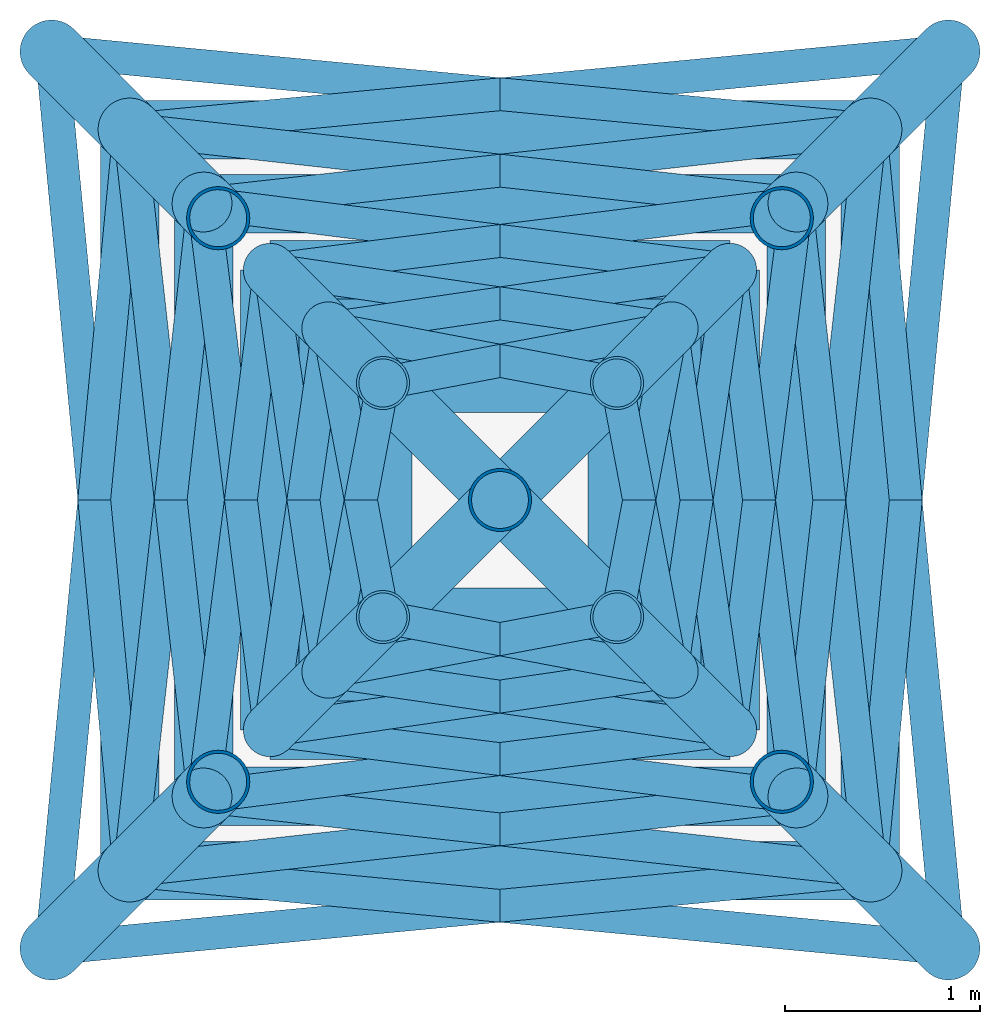
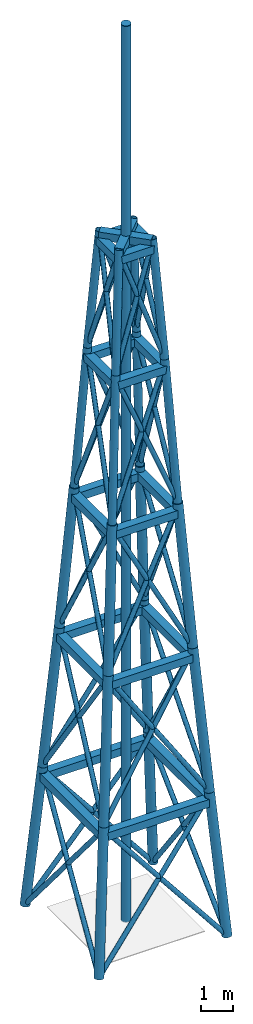
# One storey, part 1 of 2: 40 members, 24 beams, 21 columns, 1 discrete accessory.
"""IFC4 building model written with IfcOpenShell, lengths in metres."""

from ifc_helpers import new_model, si_unit, direction, frame, origin, origin_2d, place, context, subcontext, project, spatial, hollow_rectangle, circle, hollow_circle, extrude, material, material_profile, profile_set, type_object, element, save


model = new_model("IFC4")

# Units and contexts
model_context = context("Model", 3, precision=1e-05, world=origin(), true_north=direction((0.0, 1.0)))
body_context = subcontext(model_context, "Body", "Model", "MODEL_VIEW")
ifc_project = project(units=[si_unit("LENGTHUNIT", "METRE"), si_unit("AREAUNIT", "SQUARE_METRE"), si_unit("VOLUMEUNIT", "CUBIC_METRE"), si_unit("PLANEANGLEUNIT", "RADIAN"), si_unit("MASSUNIT", "GRAM", prefix="KILO")], contexts=[model_context])

# Site, building, storey
site_placement = place(None, origin())
site = spatial("IfcSite", under=ifc_project, at=site_placement, CompositionType="ELEMENT")
building_placement = place(site_placement, origin())
building = spatial("IfcBuilding", under=site, at=building_placement, Name="Nuhasar Tower", CompositionType="ELEMENT")
storey_placement = place(building_placement, frame((0.0, 0.0, 325.89990234375)))
storey = spatial("IfcBuildingStorey", under=building, at=storey_placement, Name="Roof Mast", CompositionType="ELEMENT", Elevation=325.89990234375)

# Columns
ifc_material = material(Name="Steel S460", Category="steel")
ifc_material_profile_1 = material_profile(ifc_material, hollow_circle(Radius=0.136474609375, WallThickness=0.0126953125, at=origin_2d()), Name="HSS273.1X12.7")
ifc_profile_set_1 = profile_set([ifc_material_profile_1], Name="Steel S460")
column_type_1 = type_object("IfcColumnType", Name="COL-MAST-273", PredefinedType="COLUMN", material=ifc_profile_set_1)
for number, where, z_axis, x_axis, name in (
    (1, (37.820068359375, 25.6201171875, 16.2001953125), (0.05544479848, 0.05539968473, 0.996923642639), (-0.706818929897, 0.707394515345, 0.0), "Broadcast Mast MAST-01 Leg T4-1"),
    (2, (40.179931640625, 25.6201171875, 16.2001953125), (-0.05544479848, 0.05539968473, 0.996923642639), (-0.706818929897, -0.707394515345, 0.0), "Broadcast Mast MAST-01 Leg T4-2"),
    (3, (40.179931640625, 27.97998046875, 16.2001953125), (-0.055444659851, -0.055444659851, 0.996921150035), (0.707106781187, -0.707106781187, 0.0), "Broadcast Mast MAST-01 Leg T4-3"),
    (4, (37.820068359375, 27.97998046875, 16.2001953125), (0.055444659851, -0.055444659851, 0.996921150035), (0.707106781187, 0.707106781187, 0.0), "Broadcast Mast MAST-01 Leg T4-4"),
):
    element("IfcColumn", number, at=place(storey_placement, frame(where, z_axis=z_axis, x_axis=x_axis)), inside=storey, type_object=column_type_1, Name=name, PredefinedType="COLUMN", context=body_context, shape_type="SweptSolid", body=[
        extrude(hollow_circle(Radius=0.136474609375, WallThickness=0.0126953125, at=origin_2d()), origin(), (0.0, 0.0, 1.0), 5.41162109375),
    ])
for number, where, z_axis, x_axis, name in (
    (5, (38.1201171875, 25.919921875, 21.60009765625), (0.062002070405, 0.062056173433, 0.996144956622), (-0.707415090182, 0.706798337705, 0.0), "Broadcast Mast MAST-01 Leg T5-1"),
    (6, (39.8798828125, 25.919921875, 21.60009765625), (-0.062002070405, 0.062056173433, 0.996144956622), (-0.707415090182, -0.706798337705, 0.0), "Broadcast Mast MAST-01 Leg T5-2"),
    (7, (39.8798828125, 27.679931640625, 21.60009765625), (-0.062002070405, -0.062056173433, 0.996144956622), (0.707415090182, -0.706798337705, 0.0), "Broadcast Mast MAST-01 Leg T5-3"),
    (8, (38.1201171875, 27.679931640625, 21.60009765625), (0.062002070405, -0.062056173433, 0.996144956622), (0.707415090182, 0.706798337705, 0.0), "Broadcast Mast MAST-01 Leg T5-4"),
):
    element("IfcColumn", number, at=place(storey_placement, frame(where, z_axis=z_axis, x_axis=x_axis)), inside=storey, type_object=column_type_1, Name=name, PredefinedType="COLUMN", context=body_context, shape_type="SweptSolid", body=[
        extrude(hollow_circle(Radius=0.136474609375, WallThickness=0.0126953125, at=origin_2d()), origin(), (0.0, 0.0, 1.0), 4.512451171875),
    ])
ifc_material_profile_2 = material_profile(ifc_material, hollow_circle(Radius=0.161865234375, WallThickness=0.015869140625, at=origin_2d()), Name="HSS323.9X15.9")
ifc_profile_set_2 = profile_set([ifc_material_profile_2], Name="Steel S460")
column_type_2 = type_object("IfcColumnType", Name="COL-MAST-324", PredefinedType="COLUMN", material=ifc_profile_set_2)
for number, where, z_axis, x_axis, name in (
    (9, (36.699951171875, 24.5, 0.0), (0.073765172468, 0.073720166261, 0.99454715143), (-0.706890969579, 0.707322526948, 0.0), "Broadcast Mast MAST-01 Leg T1-1"),
    (10, (41.300048828125, 24.5, 0.0), (-0.073765172468, 0.073720166261, 0.99454715143), (-0.706890969579, -0.707322526948, 0.0), "Broadcast Mast MAST-01 Leg T1-2"),
    (11, (41.300048828125, 29.10009765625, 0.0), (-0.073764927651, -0.073764927651, 0.994543850666), (0.707106781187, -0.707106781187, 0.0), "Broadcast Mast MAST-01 Leg T1-3"),
    (12, (36.699951171875, 29.10009765625, 0.0), (0.073764927651, -0.073764927651, 0.994543850666), (0.707106781187, 0.707106781187, 0.0), "Broadcast Mast MAST-01 Leg T1-4"),
):
    element("IfcColumn", number, at=place(storey_placement, frame(where, z_axis=z_axis, x_axis=x_axis)), inside=storey, type_object=column_type_2, Name=name, PredefinedType="COLUMN", context=body_context, shape_type="SweptSolid", body=[
        extrude(hollow_circle(Radius=0.161865234375, WallThickness=0.015869140625, at=origin_2d()), origin(), (0.0, 0.0, 1.0), 5.424560546875),
    ])
for number, where, z_axis, x_axis, name in (
    (13, (37.10009765625, 24.89990234375, 5.400146484375), (0.070066850002, 0.070111880111, 0.995075354332), (-0.707333891104, 0.706879598303, 0.0), "Broadcast Mast MAST-01 Leg T2-1"),
    (14, (40.89990234375, 24.89990234375, 5.400146484375), (-0.070066850002, 0.070111880111, 0.995075354332), (-0.707333891104, -0.706879598303, 0.0), "Broadcast Mast MAST-01 Leg T2-2"),
    (15, (40.89990234375, 28.699951171875, 5.400146484375), (-0.070067071143, -0.070067071143, 0.995078494935), (0.707106781187, -0.707106781187, 0.0), "Broadcast Mast MAST-01 Leg T2-3"),
    (16, (37.10009765625, 28.699951171875, 5.400146484375), (0.070067071143, -0.070067071143, 0.995078494935), (0.707106781187, 0.707106781187, 0.0), "Broadcast Mast MAST-01 Leg T2-4"),
):
    element("IfcColumn", number, at=place(storey_placement, frame(where, z_axis=z_axis, x_axis=x_axis)), inside=storey, type_object=column_type_2, Name=name, PredefinedType="COLUMN", context=body_context, shape_type="SweptSolid", body=[
        extrude(hollow_circle(Radius=0.161865234375, WallThickness=0.015869140625, at=origin_2d()), origin(), (0.0, 0.0, 1.0), 5.421630859375),
    ])
for number, where, z_axis, x_axis, name in (
    (17, (37.47998046875, 25.280029296875, 10.800048828125), (0.062788369869, 0.062788369869, 0.996049818643), (-0.707106781187, 0.707106781187, 0.0), "Broadcast Mast MAST-01 Leg T3-1"),
    (18, (40.52001953125, 25.280029296875, 10.800048828125), (-0.062788369869, 0.062788369869, 0.996049818643), (-0.707106781187, -0.707106781187, 0.0), "Broadcast Mast MAST-01 Leg T3-2"),
    (19, (40.52001953125, 28.320068359375, 10.800048828125), (-0.062788369869, -0.062788369869, 0.996049818643), (0.707106781187, -0.707106781187, 0.0), "Broadcast Mast MAST-01 Leg T3-3"),
    (20, (37.47998046875, 28.320068359375, 10.800048828125), (0.062788369869, -0.062788369869, 0.996049818643), (0.707106781187, 0.707106781187, 0.0), "Broadcast Mast MAST-01 Leg T3-4"),
):
    element("IfcColumn", number, at=place(storey_placement, frame(where, z_axis=z_axis, x_axis=x_axis)), inside=storey, type_object=column_type_2, Name=name, PredefinedType="COLUMN", context=body_context, shape_type="SweptSolid", body=[
        extrude(hollow_circle(Radius=0.161865234375, WallThickness=0.015869140625, at=origin_2d()), origin(), (0.0, 0.0, 1.0), 5.41650390625),
    ])
column_placement = place(storey_placement, frame((39.0, 26.800048828125, 0.0), z_axis=(0.0, 0.0, 1.0), x_axis=(1.0, 0.0, 0.0)))
element("IfcColumn", 21, at=column_placement, inside=storey, type_object=column_type_2, Name="Broadcast Mast MAST-01 Spire Finial", PredefinedType="COLUMN", context=body_context, shape_type="SweptSolid", body=[
    extrude(hollow_circle(Radius=0.161865234375, WallThickness=0.015869140625, at=origin_2d()), origin(), (0.0, 0.0, 1.0), 34.080078125),
])

# Beams
ifc_material_profile_3 = material_profile(ifc_material, hollow_rectangle(XDim=0.300048828125, YDim=0.300048828125, WallThickness=0.012451171875, at=origin_2d()), Name="HSS300X300X12.5")
ifc_profile_set_3 = profile_set([ifc_material_profile_3], Name="Steel S460")
beam_type = type_object("IfcBeamType", Name="BM-MAST-HSS300", PredefinedType="BEAM", material=ifc_profile_set_3)
beam_1_placement = place(storey_placement, frame((37.10009765625, 24.89990234375, 5.030029296875), z_axis=(1.0, 0.0, 0.0), x_axis=(0.0, 1.0, 0.0)))
element("IfcBeam", 22, at=beam_1_placement, inside=storey, type_object=beam_type, Name="Broadcast Mast MAST-01 Collar T1-1", PredefinedType="BEAM", context=body_context, shape_type="SweptSolid", body=[
    extrude(hollow_rectangle(XDim=0.300048828125, YDim=0.300048828125, WallThickness=0.012451171875, at=origin_2d()), origin(), (0.0, 0.0, 1.0), 3.7998046875),
])
beam_2_placement = place(storey_placement, frame((40.89990234375, 24.89990234375, 5.030029296875), z_axis=(0.0, 1.0, 0.0), x_axis=(-1.0, 0.0, 0.0)))
element("IfcBeam", 23, at=beam_2_placement, inside=storey, type_object=beam_type, Name="Broadcast Mast MAST-01 Collar T1-2", PredefinedType="BEAM", context=body_context, shape_type="SweptSolid", body=[
    extrude(hollow_rectangle(XDim=0.300048828125, YDim=0.300048828125, WallThickness=0.012451171875, at=origin_2d()), origin(), (0.0, 0.0, 1.0), 3.800048828125),
])
beam_3_placement = place(storey_placement, frame((40.89990234375, 28.699951171875, 5.030029296875), z_axis=(-1.0, 0.0, 0.0), x_axis=(0.0, -1.0, 0.0)))
element("IfcBeam", 24, at=beam_3_placement, inside=storey, type_object=beam_type, Name="Broadcast Mast MAST-01 Collar T1-3", PredefinedType="BEAM", context=body_context, shape_type="SweptSolid", body=[
    extrude(hollow_rectangle(XDim=0.300048828125, YDim=0.300048828125, WallThickness=0.012451171875, at=origin_2d()), origin(), (0.0, 0.0, 1.0), 3.7998046875),
])
beam_4_placement = place(storey_placement, frame((37.10009765625, 28.699951171875, 5.030029296875), z_axis=(0.0, -1.0, 0.0), x_axis=(1.0, 0.0, 0.0)))
element("IfcBeam", 25, at=beam_4_placement, inside=storey, type_object=beam_type, Name="Broadcast Mast MAST-01 Collar T1-4", PredefinedType="BEAM", context=body_context, shape_type="SweptSolid", body=[
    extrude(hollow_rectangle(XDim=0.300048828125, YDim=0.300048828125, WallThickness=0.012451171875, at=origin_2d()), origin(), (0.0, 0.0, 1.0), 3.800048828125),
])
for number, where, z_axis, x_axis, name in (
    (26, (37.47998046875, 25.280029296875, 10.43017578125), (1.0, 0.0, 0.0), (0.0, 1.0, 0.0), "Broadcast Mast MAST-01 Collar T2-1"),
    (27, (40.52001953125, 25.280029296875, 10.43017578125), (0.0, 1.0, 0.0), (-1.0, 0.0, 0.0), "Broadcast Mast MAST-01 Collar T2-2"),
    (28, (40.52001953125, 28.320068359375, 10.43017578125), (-1.0, 0.0, 0.0), (0.0, -1.0, 0.0), "Broadcast Mast MAST-01 Collar T2-3"),
    (29, (37.47998046875, 28.320068359375, 10.43017578125), (0.0, -1.0, 0.0), (1.0, 0.0, 0.0), "Broadcast Mast MAST-01 Collar T2-4"),
):
    element("IfcBeam", number, at=place(storey_placement, frame(where, z_axis=z_axis, x_axis=x_axis)), inside=storey, type_object=beam_type, Name=name, PredefinedType="BEAM", context=body_context, shape_type="SweptSolid", body=[
        extrude(hollow_rectangle(XDim=0.300048828125, YDim=0.300048828125, WallThickness=0.012451171875, at=origin_2d()), origin(), (0.0, 0.0, 1.0), 3.0400390625),
    ])
for number, where, z_axis, x_axis, name in (
    (30, (37.820068359375, 25.6201171875, 15.830078125), (1.0, 0.0, 0.0), (0.0, 1.0, 0.0), "Broadcast Mast MAST-01 Collar T3-1"),
    (31, (40.179931640625, 25.6201171875, 15.830078125), (0.0, 1.0, 0.0), (-1.0, 0.0, 0.0), "Broadcast Mast MAST-01 Collar T3-2"),
    (32, (40.179931640625, 27.97998046875, 15.830078125), (-1.0, 0.0, 0.0), (0.0, -1.0, 0.0), "Broadcast Mast MAST-01 Collar T3-3"),
    (33, (37.820068359375, 27.97998046875, 15.830078125), (0.0, -1.0, 0.0), (1.0, 0.0, 0.0), "Broadcast Mast MAST-01 Collar T3-4"),
):
    element("IfcBeam", number, at=place(storey_placement, frame(where, z_axis=z_axis, x_axis=x_axis)), inside=storey, type_object=beam_type, Name=name, PredefinedType="BEAM", context=body_context, shape_type="SweptSolid", body=[
        extrude(hollow_rectangle(XDim=0.300048828125, YDim=0.300048828125, WallThickness=0.012451171875, at=origin_2d()), origin(), (0.0, 0.0, 1.0), 2.35986328125),
    ])
beam_5_placement = place(storey_placement, frame((38.1201171875, 25.919921875, 21.22998046875), z_axis=(1.0, 0.0, 0.0), x_axis=(0.0, 1.0, 0.0)))
element("IfcBeam", 34, at=beam_5_placement, inside=storey, type_object=beam_type, Name="Broadcast Mast MAST-01 Collar T4-1", PredefinedType="BEAM", context=body_context, shape_type="SweptSolid", body=[
    extrude(hollow_rectangle(XDim=0.300048828125, YDim=0.300048828125, WallThickness=0.012451171875, at=origin_2d()), origin(), (0.0, 0.0, 1.0), 1.759765625),
])
beam_6_placement = place(storey_placement, frame((39.8798828125, 25.919921875, 21.22998046875), z_axis=(0.0, 1.0, 0.0), x_axis=(-1.0, 0.0, 0.0)))
element("IfcBeam", 35, at=beam_6_placement, inside=storey, type_object=beam_type, Name="Broadcast Mast MAST-01 Collar T4-2", PredefinedType="BEAM", context=body_context, shape_type="SweptSolid", body=[
    extrude(hollow_rectangle(XDim=0.300048828125, YDim=0.300048828125, WallThickness=0.012451171875, at=origin_2d()), origin(), (0.0, 0.0, 1.0), 1.760009765625),
])
beam_7_placement = place(storey_placement, frame((39.8798828125, 27.679931640625, 21.22998046875), z_axis=(-1.0, 0.0, 0.0), x_axis=(0.0, -1.0, 0.0)))
element("IfcBeam", 36, at=beam_7_placement, inside=storey, type_object=beam_type, Name="Broadcast Mast MAST-01 Collar T4-3", PredefinedType="BEAM", context=body_context, shape_type="SweptSolid", body=[
    extrude(hollow_rectangle(XDim=0.300048828125, YDim=0.300048828125, WallThickness=0.012451171875, at=origin_2d()), origin(), (0.0, 0.0, 1.0), 1.759765625),
])
beam_8_placement = place(storey_placement, frame((38.1201171875, 27.679931640625, 21.22998046875), z_axis=(0.0, -1.0, 0.0), x_axis=(1.0, 0.0, 0.0)))
element("IfcBeam", 37, at=beam_8_placement, inside=storey, type_object=beam_type, Name="Broadcast Mast MAST-01 Collar T4-4", PredefinedType="BEAM", context=body_context, shape_type="SweptSolid", body=[
    extrude(hollow_rectangle(XDim=0.300048828125, YDim=0.300048828125, WallThickness=0.012451171875, at=origin_2d()), origin(), (0.0, 0.0, 1.0), 1.760009765625),
])
beam_9_placement = place(storey_placement, frame((38.39990234375, 26.199951171875, 25.72998046875), z_axis=(1.0, 0.0, 0.0), x_axis=(0.0, 1.0, 0.0)))
element("IfcBeam", 38, at=beam_9_placement, inside=storey, type_object=beam_type, Name="Broadcast Mast MAST-01 Collar T5-1", PredefinedType="BEAM", context=body_context, shape_type="SweptSolid", body=[
    extrude(hollow_rectangle(XDim=0.300048828125, YDim=0.300048828125, WallThickness=0.012451171875, at=origin_2d()), origin(), (0.0, 0.0, 1.0), 1.2001953125),
])
beam_10_placement = place(storey_placement, frame((39.60009765625, 26.199951171875, 25.72998046875), z_axis=(0.0, 1.0, 0.0), x_axis=(-1.0, 0.0, 0.0)))
element("IfcBeam", 39, at=beam_10_placement, inside=storey, type_object=beam_type, Name="Broadcast Mast MAST-01 Collar T5-2", PredefinedType="BEAM", context=body_context, shape_type="SweptSolid", body=[
    extrude(hollow_rectangle(XDim=0.300048828125, YDim=0.300048828125, WallThickness=0.012451171875, at=origin_2d()), origin(), (0.0, 0.0, 1.0), 1.199951171875),
])
beam_11_placement = place(storey_placement, frame((39.60009765625, 27.39990234375, 25.72998046875), z_axis=(-1.0, 0.0, 0.0), x_axis=(0.0, -1.0, 0.0)))
element("IfcBeam", 40, at=beam_11_placement, inside=storey, type_object=beam_type, Name="Broadcast Mast MAST-01 Collar T5-3", PredefinedType="BEAM", context=body_context, shape_type="SweptSolid", body=[
    extrude(hollow_rectangle(XDim=0.300048828125, YDim=0.300048828125, WallThickness=0.012451171875, at=origin_2d()), origin(), (0.0, 0.0, 1.0), 1.2001953125),
])
beam_12_placement = place(storey_placement, frame((38.39990234375, 27.39990234375, 25.72998046875), z_axis=(0.0, -1.0, 0.0), x_axis=(1.0, 0.0, 0.0)))
element("IfcBeam", 41, at=beam_12_placement, inside=storey, type_object=beam_type, Name="Broadcast Mast MAST-01 Collar T5-4", PredefinedType="BEAM", context=body_context, shape_type="SweptSolid", body=[
    extrude(hollow_rectangle(XDim=0.300048828125, YDim=0.300048828125, WallThickness=0.012451171875, at=origin_2d()), origin(), (0.0, 0.0, 1.0), 1.199951171875),
])
for number, where, z_axis, x_axis, name in (
    (42, (39.0, 26.800048828125, 25.9501953125), (-0.707106781187, -0.707106781187, 0.0), (0.707106781187, -0.707106781187, 0.0), "Broadcast Mast MAST-01 Finial Spoke Beam 1"),
    (43, (39.0, 26.800048828125, 25.9501953125), (0.707106781187, -0.707106781187, 0.0), (0.707106781187, 0.707106781187, 0.0), "Broadcast Mast MAST-01 Finial Spoke Beam 2"),
):
    element("IfcBeam", number, at=place(storey_placement, frame(where, z_axis=z_axis, x_axis=x_axis)), inside=storey, type_object=beam_type, Name=name, PredefinedType="BEAM", context=body_context, shape_type="SweptSolid", body=[
        extrude(hollow_rectangle(XDim=0.300048828125, YDim=0.300048828125, WallThickness=0.012451171875, at=origin_2d()), origin(), (0.0, 0.0, 1.0), 0.8486328125),
    ])
for number, where, z_axis, x_axis, name in (
    (44, (39.0, 26.800048828125, 25.9501953125), (0.707250633645, 0.706962899457, 0.0), (-0.706962899457, 0.707250633645, 0.0), "Broadcast Mast MAST-01 Finial Spoke Beam 3"),
    (45, (39.0, 26.800048828125, 25.9501953125), (-0.707250633645, 0.706962899457, 0.0), (-0.706962899457, -0.707250633645, 0.0), "Broadcast Mast MAST-01 Finial Spoke Beam 4"),
):
    element("IfcBeam", number, at=place(storey_placement, frame(where, z_axis=z_axis, x_axis=x_axis)), inside=storey, type_object=beam_type, Name=name, PredefinedType="BEAM", context=body_context, shape_type="SweptSolid", body=[
        extrude(hollow_rectangle(XDim=0.300048828125, YDim=0.300048828125, WallThickness=0.012451171875, at=origin_2d()), origin(), (0.0, 0.0, 1.0), 0.848388671875),
    ])

# Members
ifc_material_profile_4 = material_profile(ifc_material, hollow_circle(Radius=0.084228515625, WallThickness=0.009521484375, at=origin_2d()), Name="HSS168.3X9.5")
ifc_profile_set_4 = profile_set([ifc_material_profile_4], Name="Steel S460")
member_type = type_object("IfcMemberType", Name="MAST-BRACE-168", PredefinedType="USERDEFINED", material=ifc_profile_set_4)
for number, where, z_axis, x_axis, name in (
    (46, (36.699951171875, 24.5, 0.0), (0.623588486515, 0.059375570593, 0.779494670349), (-0.094787245934, 0.99549755299, 0.0), "Broadcast Mast MAST-01 Brace A-T1-1"),
    (47, (41.300048828125, 24.5, 0.0), (-0.623588486515, 0.059375570593, 0.779494670349), (-0.094787245934, -0.99549755299, 0.0), "Broadcast Mast MAST-01 Brace B-T1-1"),
    (48, (41.300048828125, 24.5, 0.0), (-0.059411691505, 0.623587143964, 0.77949299214), (-0.995492090947, -0.094844593214, 0.0), "Broadcast Mast MAST-01 Brace A-T1-2"),
):
    element("IfcMember", number, at=place(storey_placement, frame(where, z_axis=z_axis, x_axis=x_axis)), inside=storey, type_object=member_type, Name=name, ObjectType="MAST", PredefinedType="USERDEFINED", context=body_context, shape_type="SweptSolid", body=[
        extrude(hollow_circle(Radius=0.084228515625, WallThickness=0.009521484375, at=origin_2d()), origin(), (0.0, 0.0, 1.0), 6.735107421875),
    ])
member_1_placement = place(storey_placement, frame((41.300048828125, 29.10009765625, 0.0), z_axis=(-0.059410348554, -0.623609296236, 0.779475372371), x_axis=(0.995492611448, -0.094839129863, 0.0)))
element("IfcMember", 49, at=member_1_placement, inside=storey, type_object=member_type, Name="Broadcast Mast MAST-01 Brace B-T1-2", ObjectType="MAST", PredefinedType="USERDEFINED", context=body_context, shape_type="SweptSolid", body=[
    extrude(hollow_circle(Radius=0.084228515625, WallThickness=0.009521484375, at=origin_2d()), origin(), (0.0, 0.0, 1.0), 6.7353515625),
])
for number, where, z_axis, x_axis, name in (
    (50, (41.300048828125, 29.10009765625, 0.0), (-0.623587143964, -0.059411691505, 0.77949299214), (0.094844593214, -0.995492090947, 0.0), "Broadcast Mast MAST-01 Brace A-T1-3"),
    (51, (36.699951171875, 29.10009765625, 0.0), (0.623587143964, -0.059411691505, 0.77949299214), (0.094844593214, 0.995492090947, 0.0), "Broadcast Mast MAST-01 Brace B-T1-3"),
):
    element("IfcMember", number, at=place(storey_placement, frame(where, z_axis=z_axis, x_axis=x_axis)), inside=storey, type_object=member_type, Name=name, ObjectType="MAST", PredefinedType="USERDEFINED", context=body_context, shape_type="SweptSolid", body=[
        extrude(hollow_circle(Radius=0.084228515625, WallThickness=0.009521484375, at=origin_2d()), origin(), (0.0, 0.0, 1.0), 6.735107421875),
    ])
member_2_placement = place(storey_placement, frame((36.699951171875, 29.10009765625, 0.0), z_axis=(0.059410348554, -0.623609296236, 0.779475372371), x_axis=(0.995492611448, 0.094839129863, 0.0)))
element("IfcMember", 52, at=member_2_placement, inside=storey, type_object=member_type, Name="Broadcast Mast MAST-01 Brace A-T1-4", ObjectType="MAST", PredefinedType="USERDEFINED", context=body_context, shape_type="SweptSolid", body=[
    extrude(hollow_circle(Radius=0.084228515625, WallThickness=0.009521484375, at=origin_2d()), origin(), (0.0, 0.0, 1.0), 6.7353515625),
])
member_3_placement = place(storey_placement, frame((36.699951171875, 24.5, 0.0), z_axis=(0.059411691505, 0.623587143964, 0.77949299214), x_axis=(-0.995492090947, 0.094844593214, 0.0)))
element("IfcMember", 53, at=member_3_placement, inside=storey, type_object=member_type, Name="Broadcast Mast MAST-01 Brace B-T1-4", ObjectType="MAST", PredefinedType="USERDEFINED", context=body_context, shape_type="SweptSolid", body=[
    extrude(hollow_circle(Radius=0.084228515625, WallThickness=0.009521484375, at=origin_2d()), origin(), (0.0, 0.0, 1.0), 6.735107421875),
])
for number, where, z_axis, x_axis, name in (
    (54, (37.10009765625, 24.89990234375, 5.400146484375), (0.544819070019, 0.060557059682, 0.836364169167), (-0.110470462428, 0.99387940764, 0.0), "Broadcast Mast MAST-01 Brace A-T2-1"),
    (55, (40.89990234375, 24.89990234375, 5.400146484375), (-0.544819070019, 0.060557059682, 0.836364169167), (-0.110470462428, -0.99387940764, 0.0), "Broadcast Mast MAST-01 Brace B-T2-1"),
):
    element("IfcMember", number, at=place(storey_placement, frame(where, z_axis=z_axis, x_axis=x_axis)), inside=storey, type_object=member_type, Name=name, ObjectType="MAST", PredefinedType="USERDEFINED", context=body_context, shape_type="SweptSolid", body=[
        extrude(hollow_circle(Radius=0.084228515625, WallThickness=0.009521484375, at=origin_2d()), origin(), (0.0, 0.0, 1.0), 6.277099609375),
    ])
member_4_placement = place(storey_placement, frame((40.89990234375, 24.89990234375, 5.400146484375), z_axis=(-0.060517026363, 0.544847700722, 0.836348415756), x_axis=(-0.993888059911, -0.110392591992, 0.0)))
element("IfcMember", 56, at=member_4_placement, inside=storey, type_object=member_type, Name="Broadcast Mast MAST-01 Brace A-T2-2", ObjectType="MAST", PredefinedType="USERDEFINED", context=body_context, shape_type="SweptSolid", body=[
    extrude(hollow_circle(Radius=0.084228515625, WallThickness=0.009521484375, at=origin_2d()), origin(), (0.0, 0.0, 1.0), 6.27734375),
])
for number, where, z_axis, x_axis, name in (
    (57, (40.89990234375, 28.699951171875, 5.400146484375), (-0.06051830875, -0.544820352808, 0.836366138406), (0.993887195229, -0.110400376626, 0.0), "Broadcast Mast MAST-01 Brace B-T2-2"),
    (58, (40.89990234375, 28.699951171875, 5.400146484375), (-0.544820352808, -0.06051830875, 0.836366138406), (0.110400376626, -0.993887195229, 0.0), "Broadcast Mast MAST-01 Brace A-T2-3"),
    (59, (37.10009765625, 28.699951171875, 5.400146484375), (0.544820352808, -0.06051830875, 0.836366138406), (0.110400376626, 0.993887195229, 0.0), "Broadcast Mast MAST-01 Brace B-T2-3"),
    (60, (37.10009765625, 28.699951171875, 5.400146484375), (0.06051830875, -0.544820352808, 0.836366138406), (0.993887195229, 0.110400376626, 0.0), "Broadcast Mast MAST-01 Brace A-T2-4"),
):
    element("IfcMember", number, at=place(storey_placement, frame(where, z_axis=z_axis, x_axis=x_axis)), inside=storey, type_object=member_type, Name=name, ObjectType="MAST", PredefinedType="USERDEFINED", context=body_context, shape_type="SweptSolid", body=[
        extrude(hollow_circle(Radius=0.084228515625, WallThickness=0.009521484375, at=origin_2d()), origin(), (0.0, 0.0, 1.0), 6.277099609375),
    ])
member_5_placement = place(storey_placement, frame((37.10009765625, 24.89990234375, 5.400146484375), z_axis=(0.060517026363, 0.544847700722, 0.836348415756), x_axis=(-0.993888059911, 0.110392591992, 0.0)))
element("IfcMember", 61, at=member_5_placement, inside=storey, type_object=member_type, Name="Broadcast Mast MAST-01 Brace B-T2-4", ObjectType="MAST", PredefinedType="USERDEFINED", context=body_context, shape_type="SweptSolid", body=[
    extrude(hollow_circle(Radius=0.084228515625, WallThickness=0.009521484375, at=origin_2d()), origin(), (0.0, 0.0, 1.0), 6.27734375),
])
for number, where, z_axis, x_axis, name in (
    (62, (37.47998046875, 25.280029296875, 10.800048828125), (0.456584494151, 0.057511728036, 0.887819238831), (-0.124973237852, 0.992160112996, 0.0), "Broadcast Mast MAST-01 Brace A-T3-1"),
    (63, (40.52001953125, 25.280029296875, 10.800048828125), (-0.456584494151, 0.057511728036, 0.887819238831), (-0.124973237852, -0.992160112996, 0.0), "Broadcast Mast MAST-01 Brace B-T3-1"),
    (64, (40.52001953125, 25.280029296875, 10.800048828125), (-0.057511728036, 0.456584494151, 0.887819238831), (-0.992160112996, -0.124973237852, 0.0), "Broadcast Mast MAST-01 Brace A-T3-2"),
    (65, (40.52001953125, 28.320068359375, 10.800048828125), (-0.057511728036, -0.456584494151, 0.887819238831), (0.992160112996, -0.124973237852, 0.0), "Broadcast Mast MAST-01 Brace B-T3-2"),
    (66, (40.52001953125, 28.320068359375, 10.800048828125), (-0.456584494151, -0.057511728036, 0.887819238831), (0.124973237852, -0.992160112996, 0.0), "Broadcast Mast MAST-01 Brace A-T3-3"),
    (67, (37.47998046875, 28.320068359375, 10.800048828125), (0.456584494151, -0.057511728036, 0.887819238831), (0.124973237852, 0.992160112996, 0.0), "Broadcast Mast MAST-01 Brace B-T3-3"),
    (68, (37.47998046875, 28.320068359375, 10.800048828125), (0.057511728036, -0.456584494151, 0.887819238831), (0.992160112996, 0.124973237852, 0.0), "Broadcast Mast MAST-01 Brace A-T3-4"),
    (69, (37.47998046875, 25.280029296875, 10.800048828125), (0.057511728036, 0.456584494151, 0.887819238831), (-0.992160112996, 0.124973237852, 0.0), "Broadcast Mast MAST-01 Brace B-T3-4"),
):
    element("IfcMember", number, at=place(storey_placement, frame(where, z_axis=z_axis, x_axis=x_axis)), inside=storey, type_object=member_type, Name=name, ObjectType="MAST", PredefinedType="USERDEFINED", context=body_context, shape_type="SweptSolid", body=[
        extrude(hollow_circle(Radius=0.084228515625, WallThickness=0.009521484375, at=origin_2d()), origin(), (0.0, 0.0, 1.0), 5.913330078125),
    ])
for number, where, z_axis, x_axis, name in (
    (70, (37.820068359375, 25.6201171875, 16.2001953125), (0.364724813407, 0.053085465315, 0.929600851902), (-0.144031732771, 0.989573069538, 0.0), "Broadcast Mast MAST-01 Brace A-T4-1"),
    (71, (40.179931640625, 25.6201171875, 16.2001953125), (-0.364724813407, 0.053085465315, 0.929600851902), (-0.144031732771, -0.989573069538, 0.0), "Broadcast Mast MAST-01 Brace B-T4-1"),
    (72, (40.179931640625, 25.6201171875, 16.2001953125), (-0.05312857255, 0.364723976083, 0.929598717754), (-0.989556345865, -0.144146586354, 0.0), "Broadcast Mast MAST-01 Brace A-T4-2"),
    (73, (40.179931640625, 27.97998046875, 16.2001953125), (-0.053127734859, -0.364761453813, 0.929584060535), (0.989558782473, -0.14412985822, 0.0), "Broadcast Mast MAST-01 Brace B-T4-2"),
    (74, (40.179931640625, 27.97998046875, 16.2001953125), (-0.364723976083, -0.05312857255, 0.929598717754), (0.144146586354, -0.989556345865, 0.0), "Broadcast Mast MAST-01 Brace A-T4-3"),
    (75, (37.820068359375, 27.97998046875, 16.2001953125), (0.364723976083, -0.05312857255, 0.929598717754), (0.144146586354, 0.989556345865, 0.0), "Broadcast Mast MAST-01 Brace B-T4-3"),
    (76, (37.820068359375, 27.97998046875, 16.2001953125), (0.053127734859, -0.364761453813, 0.929584060535), (0.989558782473, 0.14412985822, 0.0), "Broadcast Mast MAST-01 Brace A-T4-4"),
    (77, (37.820068359375, 25.6201171875, 16.2001953125), (0.05312857255, 0.364723976083, 0.929598717754), (-0.989556345865, 0.144146586354, 0.0), "Broadcast Mast MAST-01 Brace B-T4-4"),
):
    element("IfcMember", number, at=place(storey_placement, frame(where, z_axis=z_axis, x_axis=x_axis)), inside=storey, type_object=member_type, Name=name, ObjectType="MAST", PredefinedType="USERDEFINED", context=body_context, shape_type="SweptSolid", body=[
        extrude(hollow_circle(Radius=0.084228515625, WallThickness=0.009521484375, at=origin_2d()), origin(), (0.0, 0.0, 1.0), 5.647705078125),
    ])
for number, where, z_axis, x_axis, name in (
    (78, (38.1201171875, 25.919921875, 21.60009765625), (0.321491061475, 0.060829799985, 0.944956735954), (-0.185912814703, 0.982566244754, 0.0), "Broadcast Mast MAST-01 Brace A-T5-1"),
    (79, (39.8798828125, 25.919921875, 21.60009765625), (-0.321491061475, 0.060829799985, 0.944956735954), (-0.185912814703, -0.982566244754, 0.0), "Broadcast Mast MAST-01 Brace B-T5-1"),
    (80, (39.8798828125, 25.919921875, 21.60009765625), (-0.060776962142, 0.32149209817, 0.944959783106), (-0.982595841729, -0.185756323758, 0.0), "Broadcast Mast MAST-01 Brace A-T5-2"),
    (81, (39.8798828125, 27.679931640625, 21.60009765625), (-0.060776962142, -0.32149209817, 0.944959783106), (0.982595841729, -0.185756323758, 0.0), "Broadcast Mast MAST-01 Brace B-T5-2"),
    (82, (39.8798828125, 27.679931640625, 21.60009765625), (-0.321491061475, -0.060829799985, 0.944956735954), (0.185912814703, -0.982566244754, 0.0), "Broadcast Mast MAST-01 Brace A-T5-3"),
    (83, (38.1201171875, 27.679931640625, 21.60009765625), (0.321491061475, -0.060829799985, 0.944956735954), (0.185912814703, 0.982566244754, 0.0), "Broadcast Mast MAST-01 Brace B-T5-3"),
    (84, (38.1201171875, 27.679931640625, 21.60009765625), (0.060776962142, -0.32149209817, 0.944959783106), (0.982595841729, 0.185756323758, 0.0), "Broadcast Mast MAST-01 Brace A-T5-4"),
    (85, (38.1201171875, 25.919921875, 21.60009765625), (0.060776962142, 0.32149209817, 0.944959783106), (-0.982595841729, 0.185756323758, 0.0), "Broadcast Mast MAST-01 Brace B-T5-4"),
):
    element("IfcMember", number, at=place(storey_placement, frame(where, z_axis=z_axis, x_axis=x_axis)), inside=storey, type_object=member_type, Name=name, ObjectType="MAST", PredefinedType="USERDEFINED", context=body_context, shape_type="SweptSolid", body=[
        extrude(hollow_circle(Radius=0.084228515625, WallThickness=0.009521484375, at=origin_2d()), origin(), (0.0, 0.0, 1.0), 4.603515625),
    ])

# Discrete accessory
discrete_accessory_type = type_object("IfcDiscreteAccessoryType", Name="ACC-CAP-HSS324", PredefinedType="USERDEFINED", material=ifc_material)
discrete_accessory_placement = place(storey_placement, frame((39.0, 26.800048828125, 34.080078125), z_axis=(0.0, 0.0, 1.0), x_axis=(1.0, 0.0, 0.0)))
element("IfcDiscreteAccessory", 86, at=discrete_accessory_placement, inside=storey, type_object=discrete_accessory_type, Name="Broadcast Mast MAST-01 Spire Finial End Cap", ObjectType="STEEL_END_CAP", PredefinedType="USERDEFINED", context=body_context, shape_type="SweptSolid", body=[
    extrude(circle(Radius=0.161865234375, at=origin_2d()), origin(), (0.0, 0.0, 1.0), 0.02001953125),
])

save(model, "model.ifc")
